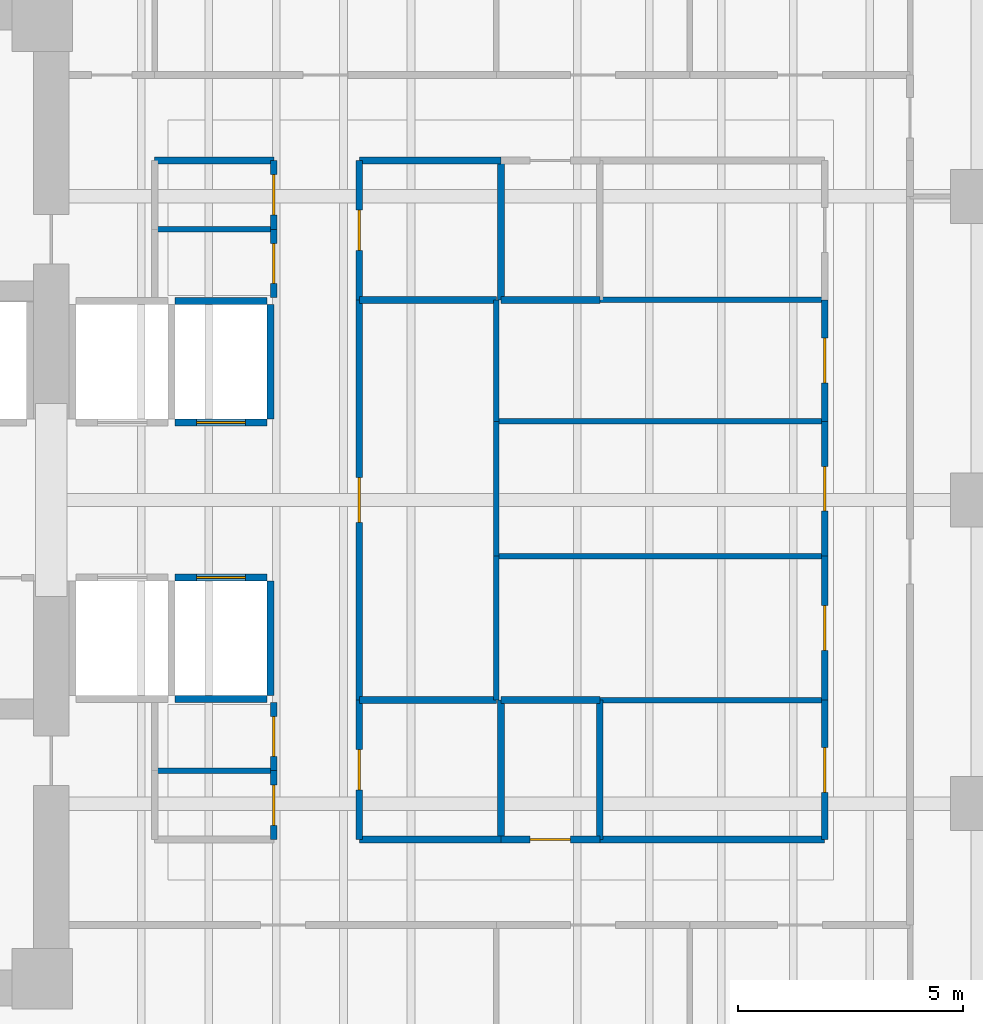
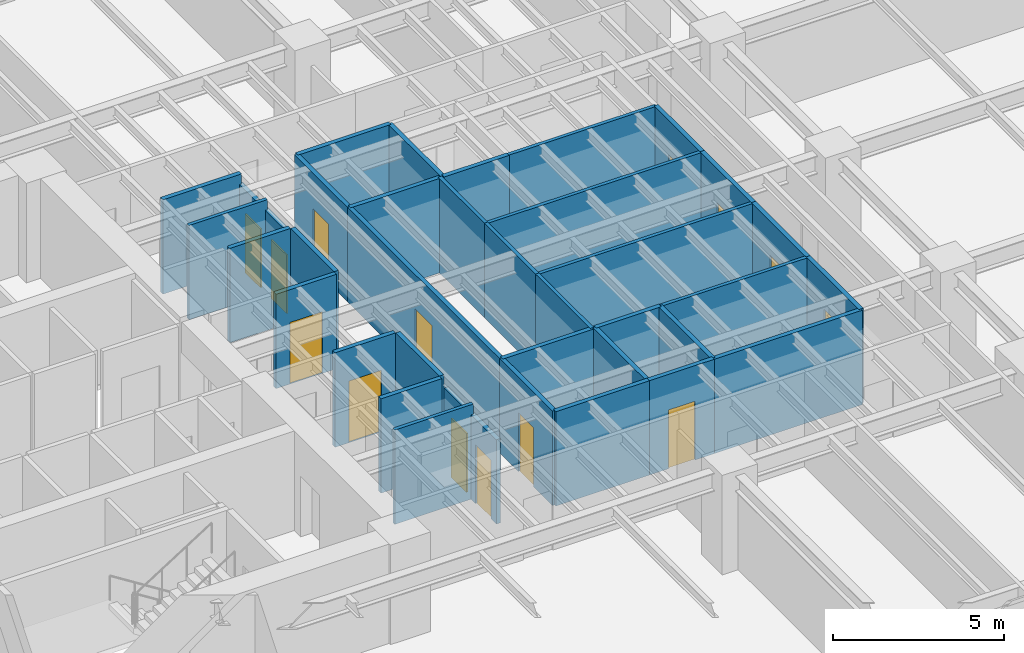
# One storey, part 9 of 15: 38 walls, 14 doors, 14 openings.
"""IFC4 building model written with IfcOpenShell, lengths in metres."""

from ifc_helpers import new_model, si_unit, direction, frame, frame_2d, origin, place, context, subcontext, project, spatial, rectangle, extrude, material, layer, layer_set, type_object, element, fill, save


model = new_model("IFC4")

# Units and contexts
model_context = context("Model", 3, precision=1e-05, world=origin(), true_north=direction((0.0, 1.0)))
body_context = subcontext(model_context, "Body", "Model", "MODEL_VIEW")
ifc_project = project(units=[si_unit("LENGTHUNIT", "METRE"), si_unit("AREAUNIT", "SQUARE_METRE"), si_unit("VOLUMEUNIT", "CUBIC_METRE"), si_unit("PLANEANGLEUNIT", "RADIAN"), si_unit("MASSUNIT", "GRAM", prefix="KILO")], contexts=[model_context])

# Site, building, storey
site_placement = place(None, origin())
site = spatial("IfcSite", under=ifc_project, at=site_placement, CompositionType="ELEMENT")
building_placement = place(site_placement, origin())
building = spatial("IfcBuilding", under=site, at=building_placement, Name="Kinhvarn Gate Tower", CompositionType="ELEMENT")
storey_placement = place(building_placement, frame((0.0, 0.0, 68.199951171875)))
storey = spatial("IfcBuildingStorey", under=building, at=storey_placement, Name="L17", CompositionType="ELEMENT", Elevation=68.199951171875)

# Walls
ifc_material_1 = material(Name="Gypsum acoustic partition board")
ifc_layer_1 = layer(ifc_material_1, 0.14990234375)
ifc_layer_set_1 = layer_set([ifc_layer_1], Name="Gypsum acoustic partition board")
wall_type_1 = type_object("IfcWallType", Name="WL-PLM-150", PredefinedType="PLUMBINGWALL", material=ifc_layer_set_1)
wall_1_placement = place(storey_placement, frame((27.60009765625, 17.699951171875, 0.0), z_axis=(0.0, 0.0, 1.0), x_axis=(0.0, 1.0, 0.0)))
element("IfcWall", 1, at=wall_1_placement, inside=storey, type_object=wall_type_1, Name="Interior Partition PLW-150 (L17)", PredefinedType="PLUMBINGWALL", context=body_context, shape_type="SweptSolid", body=[
    extrude(rectangle(XDim=3.10009765625, YDim=0.14990234375, at=frame_2d((1.550048828125, 0.0))), origin(), (0.0, 0.0, 1.0), 3.3701171875),
])
wall_2_placement = place(storey_placement, frame((24.449951171875, 20.800048828125, 0.0), z_axis=(0.0, 0.0, 1.0), x_axis=(1.0, 0.0, 0.0)))
element("IfcWall", 2, at=wall_2_placement, inside=storey, type_object=wall_type_1, Name="Interior Partition PLW-150 (L17)", PredefinedType="PLUMBINGWALL", context=body_context, shape_type="SweptSolid", body=[
    extrude(rectangle(XDim=3.050048828125, YDim=0.14990234375, at=frame_2d((1.52490234375, 0.0))), origin(), (0.0, 0.0, 1.0), 3.3701171875),
])
wall_3_placement = place(storey_placement, frame((27.60009765625, 29.699951171875, 0.0), z_axis=(0.0, 0.0, 1.0), x_axis=(0.0, 1.0, 0.0)))
element("IfcWall", 3, at=wall_3_placement, inside=storey, type_object=wall_type_1, Name="Interior Partition PLW-150 (L17)", PredefinedType="PLUMBINGWALL", context=body_context, shape_type="SweptSolid", body=[
    extrude(rectangle(XDim=3.10009765625, YDim=0.14990234375, at=frame_2d((1.550048828125, 0.0))), origin(), (0.0, 0.0, 1.0), 3.3701171875),
])
wall_4_placement = place(storey_placement, frame((24.449951171875, 29.699951171875, 0.0), z_axis=(0.0, 0.0, 1.0), x_axis=(1.0, 0.0, 0.0)))
element("IfcWall", 4, at=wall_4_placement, inside=storey, type_object=wall_type_1, Name="Interior Partition PLW-150 (L17)", PredefinedType="PLUMBINGWALL", context=body_context, shape_type="SweptSolid", body=[
    extrude(rectangle(XDim=3.050048828125, YDim=0.14990234375, at=frame_2d((1.52490234375, 0.0))), origin(), (0.0, 0.0, 1.0), 3.3701171875),
])
wall_5_placement = place(storey_placement, frame((29.800048828125, 17.699951171875, 0.0), z_axis=(0.0, 0.0, 1.0), x_axis=(0.0, 1.0, 0.0)))
element("IfcWall", 5, at=wall_5_placement, inside=storey, type_object=wall_type_1, Name="Interior Partition PLW-150 (L17)", PredefinedType="PLUMBINGWALL", context=body_context, shape_type="SweptSolid", body=[
    extrude(rectangle(XDim=3.10009765625, YDim=0.14990234375, at=frame_2d((1.550048828125, 0.0))), origin(), (0.0, 0.0, 1.0), 3.3701171875),
])
for number, where, z_axis, x_axis, name in (
    (6, (27.60009765625, 20.800048828125, 0.0), (0.0, 0.0, 1.0), (1.0, 0.0, 0.0), "Interior Partition PLW-150 (L17)"),
    (7, (27.60009765625, 29.699951171875, 0.0), (0.0, 0.0, 1.0), (1.0, 0.0, 0.0), "Interior Partition PLW-150 (L17)"),
):
    element("IfcWall", number, at=place(storey_placement, frame(where, z_axis=z_axis, x_axis=x_axis)), inside=storey, type_object=wall_type_1, Name=name, PredefinedType="PLUMBINGWALL", context=body_context, shape_type="SweptSolid", body=[
        extrude(rectangle(XDim=2.199951171875, YDim=0.14990234375, at=frame_2d((1.10009765625, 0.0))), origin(), (0.0, 0.0, 1.0), 3.3701171875),
    ])

# Wall, opening, door
ifc_layer_2 = layer(ifc_material_1, 0.14990234375)
ifc_layer_set_2 = layer_set([ifc_layer_2], Name="Gypsum acoustic partition board")
wall_type_2 = type_object("IfcWallType", Name="WL-PLM-150F", PredefinedType="PLUMBINGWALL", material=ifc_layer_set_2)
wall_6_placement = place(storey_placement, frame((24.449951171875, 17.699951171875, 0.0), z_axis=(0.0, 0.0, 1.0), x_axis=(0.0, 1.0, 0.0)))
wall_6 = element("IfcWall", 8, at=wall_6_placement, inside=storey, type_object=wall_type_2, Name="Interior Partition PLW-150F (L17)", PredefinedType="PLUMBINGWALL", context=body_context, shape_type="SweptSolid", body=[
    extrude(rectangle(XDim=3.10009765625, YDim=0.14990234375, at=frame_2d((1.550048828125, 0.0))), origin(), (0.0, 0.0, 1.0), 3.3701171875),
])
opening_1_placement = place(wall_6_placement, frame((1.10009765625, 0.0, 0.0)))
opening_1 = element("IfcOpeningElement", 9, at=opening_1_placement, cuts=wall_6, Name="Opening FD-04", PredefinedType="OPENING", context=body_context, shape_type="SweptSolid", body=[
    extrude(rectangle(XDim=0.89990234375, YDim=2.10009765625, at=frame_2d((0.449951171875, 1.050048828125))), frame((0.0, 0.0849609375, 0.0), z_axis=(0.0, -1.0, 0.0), x_axis=(1.0, 0.0, 0.0)), (0.0, 0.0, 1.0), 0.169921875),
])
ifc_material_2 = material(Name="Anodised aluminium AW-6063", Category="aluminium")
door_type_1 = type_object("IfcDoorType", Name="DR-FD-900", OperationType="NOTDEFINED", PredefinedType="DOOR", material=ifc_material_2)
door_1_placement = place(opening_1_placement, origin())
door_1 = element("IfcDoor", 10, at=door_1_placement, inside=storey, type_object=door_type_1, Name="Rated Riser & Service Closet Fire Door 900x2100 mm (L17)", OperationType="SINGLE_SWING_RIGHT", OverallHeight=2.10009765625, OverallWidth=0.89990234375, PredefinedType="DOOR", context=body_context, shape_type="SweptSolid", body=[
    extrude(rectangle(XDim=0.89990234375, YDim=2.10009765625, at=frame_2d((0.449951171875, 1.050048828125))), frame((0.0, 0.02490234375, 0.0), z_axis=(0.0, -1.0, 0.0), x_axis=(1.0, 0.0, 0.0)), (0.0, 0.0, 1.0), 0.050048828125),
])
fill(opening_1, door_1)

wall_7_placement = place(storey_placement, frame((24.449951171875, 29.699951171875, 0.0), z_axis=(0.0, 0.0, 1.0), x_axis=(0.0, 1.0, 0.0)))
wall_7 = element("IfcWall", 11, at=wall_7_placement, inside=storey, type_object=wall_type_2, Name="Interior Partition PLW-150F (L17)", PredefinedType="PLUMBINGWALL", context=body_context, shape_type="SweptSolid", body=[
    extrude(rectangle(XDim=3.10009765625, YDim=0.14990234375, at=frame_2d((1.550048828125, 0.0))), origin(), (0.0, 0.0, 1.0), 3.3701171875),
])
opening_2_placement = place(wall_7_placement, frame((1.10009765625, 0.0, 0.0)))
opening_2 = element("IfcOpeningElement", 12, at=opening_2_placement, cuts=wall_7, Name="Opening FD-04", PredefinedType="OPENING", context=body_context, shape_type="SweptSolid", body=[
    extrude(rectangle(XDim=0.89990234375, YDim=2.10009765625, at=frame_2d((0.449951171875, 1.050048828125))), frame((0.0, 0.0849609375, 0.0), z_axis=(0.0, -1.0, 0.0), x_axis=(1.0, 0.0, 0.0)), (0.0, 0.0, 1.0), 0.169921875),
])
door_2_placement = place(opening_2_placement, origin())
door_2 = element("IfcDoor", 13, at=door_2_placement, inside=storey, type_object=door_type_1, Name="Rated Riser & Service Closet Fire Door 900x2100 mm (L17)", OperationType="SINGLE_SWING_LEFT", OverallHeight=2.10009765625, OverallWidth=0.89990234375, PredefinedType="DOOR", context=body_context, shape_type="SweptSolid", body=[
    extrude(rectangle(XDim=0.89990234375, YDim=2.10009765625, at=frame_2d((0.449951171875, 1.050048828125))), frame((0.0, 0.02490234375, 0.0), z_axis=(0.0, -1.0, 0.0), x_axis=(1.0, 0.0, 0.0)), (0.0, 0.0, 1.0), 0.050048828125),
])
fill(opening_2, door_2)

# Wall
wall_8_placement = place(storey_placement, frame((24.449951171875, 17.699951171875, 0.0), z_axis=(0.0, 0.0, 1.0), x_axis=(1.0, 0.0, 0.0)))
element("IfcWall", 14, at=wall_8_placement, inside=storey, type_object=wall_type_2, Name="Interior Partition PLW-150F (L17)", PredefinedType="PLUMBINGWALL", context=body_context, shape_type="SweptSolid", body=[
    extrude(rectangle(XDim=3.150146484375, YDim=0.14990234375, at=frame_2d((1.5751953125, 0.0))), origin(), (0.0, 0.0, 1.0), 3.3701171875),
])

# Wall, opening, door
wall_9_placement = place(storey_placement, frame((27.60009765625, 17.699951171875, 0.0), z_axis=(0.0, 0.0, 1.0), x_axis=(1.0, 0.0, 0.0)))
wall_9 = element("IfcWall", 15, at=wall_9_placement, inside=storey, type_object=wall_type_2, Name="Interior Partition PLW-150F (L17)", PredefinedType="PLUMBINGWALL", context=body_context, shape_type="SweptSolid", body=[
    extrude(rectangle(XDim=2.199951171875, YDim=0.14990234375, at=frame_2d((1.10009765625, 0.0))), origin(), (0.0, 0.0, 1.0), 3.3701171875),
])
opening_3_placement = place(wall_9_placement, frame((0.64990234375, 0.0, 0.0)))
opening_3 = element("IfcOpeningElement", 16, at=opening_3_placement, cuts=wall_9, Name="Opening FD-04", PredefinedType="OPENING", context=body_context, shape_type="SweptSolid", body=[
    extrude(rectangle(XDim=0.89990234375, YDim=2.10009765625, at=frame_2d((0.449951171875, 1.050048828125))), frame((0.0, 0.0849609375, 0.0), z_axis=(0.0, -1.0, 0.0), x_axis=(1.0, 0.0, 0.0)), (0.0, 0.0, 1.0), 0.169921875),
])
door_3_placement = place(opening_3_placement, origin())
door_3 = element("IfcDoor", 17, at=door_3_placement, inside=storey, type_object=door_type_1, Name="Rated Riser & Service Closet Fire Door 900x2100 mm (L17)", OperationType="SINGLE_SWING_LEFT", OverallHeight=2.10009765625, OverallWidth=0.89990234375, PredefinedType="DOOR", context=body_context, shape_type="SweptSolid", body=[
    extrude(rectangle(XDim=0.89990234375, YDim=2.10009765625, at=frame_2d((0.449951171875, 1.050048828125))), frame((0.0, 0.02490234375, 0.0), z_axis=(0.0, -1.0, 0.0), x_axis=(1.0, 0.0, 0.0)), (0.0, 0.0, 1.0), 0.050048828125),
])
fill(opening_3, door_3)

# Walls
wall_10_placement = place(storey_placement, frame((24.449951171875, 32.800048828125, 0.0), z_axis=(0.0, 0.0, 1.0), x_axis=(1.0, 0.0, 0.0)))
element("IfcWall", 18, at=wall_10_placement, inside=storey, type_object=wall_type_2, Name="Interior Partition PLW-150F (L17)", PredefinedType="PLUMBINGWALL", context=body_context, shape_type="SweptSolid", body=[
    extrude(rectangle(XDim=3.150146484375, YDim=0.14990234375, at=frame_2d((1.5751953125, 0.0))), origin(), (0.0, 0.0, 1.0), 3.3701171875),
])
ifc_layer_3 = layer(ifc_material_1, 0.1201171875)
ifc_layer_set_3 = layer_set([ifc_layer_3], Name="Gypsum acoustic partition board")
wall_type_3 = type_object("IfcWallType", Name="WL-PRT-120", PredefinedType="PARTITIONING", material=ifc_layer_set_3)
for number, where, z_axis, x_axis, name in (
    (19, (19.89990234375, 19.22998046875, 0.0), (0.0, 0.0, 1.0), (1.0, 0.0, 0.0), "Interior Partition PW-120 (L17)"),
    (20, (19.89990234375, 31.27001953125, 0.0), (0.0, 0.0, 1.0), (1.0, 0.0, 0.0), "Interior Partition PW-120 (L17)"),
):
    element("IfcWall", number, at=place(storey_placement, frame(where, z_axis=z_axis, x_axis=x_axis)), inside=storey, type_object=wall_type_3, Name=name, PredefinedType="PARTITIONING", context=body_context, shape_type="SweptSolid", body=[
        extrude(rectangle(XDim=2.650146484375, YDim=0.1201171875, at=frame_2d((1.3251953125, 0.0))), origin(), (0.0, 0.0, 1.0), 3.3701171875),
    ])
for number, where, z_axis, x_axis, name in (
    (21, (29.800048828125, 20.800048828125, 0.0), (0.0, 0.0, 1.0), (1.0, 0.0, 0.0), "Interior Partition PW-120 (L17)"),
    (22, (29.800048828125, 29.699951171875, 0.0), (0.0, 0.0, 1.0), (1.0, 0.0, 0.0), "Interior Partition PW-120 (L17)"),
):
    element("IfcWall", number, at=place(storey_placement, frame(where, z_axis=z_axis, x_axis=x_axis)), inside=storey, type_object=wall_type_3, Name=name, PredefinedType="PARTITIONING", context=body_context, shape_type="SweptSolid", body=[
        extrude(rectangle(XDim=5.0, YDim=0.1201171875, at=frame_2d((2.5, 0.0))), origin(), (0.0, 0.0, 1.0), 3.3701171875),
    ])
wall_11_placement = place(storey_placement, frame((27.5, 20.800048828125, 0.0), z_axis=(0.0, 0.0, 1.0), x_axis=(0.0, 1.0, 0.0)))
element("IfcWall", 23, at=wall_11_placement, inside=storey, type_object=wall_type_3, Name="Interior Partition PW-120 (L17)", PredefinedType="PARTITIONING", context=body_context, shape_type="SweptSolid", body=[
    extrude(rectangle(XDim=3.199951171875, YDim=0.1201171875, at=frame_2d((1.60009765625, 0.0))), origin(), (0.0, 0.0, 1.0), 3.3701171875),
])
wall_12_placement = place(storey_placement, frame((27.5, 24.0, 0.0), z_axis=(0.0, 0.0, 1.0), x_axis=(0.0, 1.0, 0.0)))
element("IfcWall", 24, at=wall_12_placement, inside=storey, type_object=wall_type_3, Name="Interior Partition PW-120 (L17)", PredefinedType="PARTITIONING", context=body_context, shape_type="SweptSolid", body=[
    extrude(rectangle(XDim=3.0, YDim=0.1201171875, at=frame_2d((1.5, 0.0))), origin(), (0.0, 0.0, 1.0), 3.3701171875),
])
wall_13_placement = place(storey_placement, frame((27.5, 27.0, 0.0), z_axis=(0.0, 0.0, 1.0), x_axis=(0.0, 1.0, 0.0)))
element("IfcWall", 25, at=wall_13_placement, inside=storey, type_object=wall_type_3, Name="Interior Partition PW-120 (L17)", PredefinedType="PARTITIONING", context=body_context, shape_type="SweptSolid", body=[
    extrude(rectangle(XDim=2.699951171875, YDim=0.1201171875, at=frame_2d((1.35009765625, 0.0))), origin(), (0.0, 0.0, 1.0), 3.3701171875),
])
for number, where, z_axis, x_axis, name in (
    (26, (27.5, 24.0, 0.0), (0.0, 0.0, 1.0), (1.0, 0.0, 0.0), "Interior Partition PW-120 (L17)"),
    (27, (27.5, 27.0, 0.0), (0.0, 0.0, 1.0), (1.0, 0.0, 0.0), "Interior Partition PW-120 (L17)"),
):
    element("IfcWall", number, at=place(storey_placement, frame(where, z_axis=z_axis, x_axis=x_axis)), inside=storey, type_object=wall_type_3, Name=name, PredefinedType="PARTITIONING", context=body_context, shape_type="SweptSolid", body=[
        extrude(rectangle(XDim=7.300048828125, YDim=0.1201171875, at=frame_2d((3.64990234375, 0.0))), origin(), (0.0, 0.0, 1.0), 3.3701171875),
    ])

# Wall, opening, door
ifc_layer_4 = layer(ifc_material_1, 0.14990234375)
ifc_layer_set_4 = layer_set([ifc_layer_4], Name="Gypsum acoustic partition board")
wall_type_4 = type_object("IfcWallType", Name="WL-PRT-150F", PredefinedType="PARTITIONING", material=ifc_layer_set_4)
wall_14_placement = place(storey_placement, frame((22.550048828125, 17.699951171875, 0.0), z_axis=(0.0, 0.0, 1.0), x_axis=(0.0, 1.0, 0.0)))
wall_14 = element("IfcWall", 28, at=wall_14_placement, inside=storey, type_object=wall_type_4, Name="Interior Partition PW-150F (L17)", PredefinedType="PARTITIONING", context=body_context, shape_type="SweptSolid", body=[
    extrude(rectangle(XDim=1.530029296875, YDim=0.14990234375, at=frame_2d((0.76513671875, 0.0))), origin(), (0.0, 0.0, 1.0), 3.010009765625),
])
opening_4_placement = place(wall_14_placement, frame((0.31494140625, 0.0, 0.0)))
opening_4 = element("IfcOpeningElement", 29, at=opening_4_placement, cuts=wall_14, Name="Opening ID-03", PredefinedType="OPENING", context=body_context, shape_type="SweptSolid", body=[
    extrude(rectangle(XDim=0.89990234375, YDim=2.10009765625, at=frame_2d((0.449951171875, 1.050048828125))), frame((0.0, 0.0849609375, 0.0), z_axis=(0.0, -1.0, 0.0), x_axis=(1.0, 0.0, 0.0)), (0.0, 0.0, 1.0), 0.169921875),
])
door_type_2 = type_object("IfcDoorType", Name="DR-INT-900", OperationType="NOTDEFINED", PredefinedType="DOOR", material=ifc_material_2)
door_4_placement = place(opening_4_placement, origin())
door_4 = element("IfcDoor", 30, at=door_4_placement, inside=storey, type_object=door_type_2, Name="Cellular Office & Restroom Door 900x2100 mm (L17)", OperationType="SINGLE_SWING_RIGHT", OverallHeight=2.10009765625, OverallWidth=0.89990234375, PredefinedType="DOOR", context=body_context, shape_type="SweptSolid", body=[
    extrude(rectangle(XDim=0.89990234375, YDim=2.10009765625, at=frame_2d((0.449951171875, 1.050048828125))), frame((0.0, 0.02490234375, 0.0), z_axis=(0.0, -1.0, 0.0), x_axis=(1.0, 0.0, 0.0)), (0.0, 0.0, 1.0), 0.050048828125),
])
fill(opening_4, door_4)

wall_15_placement = place(storey_placement, frame((22.550048828125, 19.22998046875, 0.0), z_axis=(0.0, 0.0, 1.0), x_axis=(0.0, 1.0, 0.0)))
wall_15 = element("IfcWall", 31, at=wall_15_placement, inside=storey, type_object=wall_type_4, Name="Interior Partition PW-150F (L17)", PredefinedType="PARTITIONING", context=body_context, shape_type="SweptSolid", body=[
    extrude(rectangle(XDim=1.52001953125, YDim=0.14990234375, at=frame_2d((0.760009765625, 0.0))), origin(), (0.0, 0.0, 1.0), 3.010009765625),
])
opening_5_placement = place(wall_15_placement, frame((0.31005859375, 0.0, 0.0)))
opening_5 = element("IfcOpeningElement", 32, at=opening_5_placement, cuts=wall_15, Name="Opening ID-03", PredefinedType="OPENING", context=body_context, shape_type="SweptSolid", body=[
    extrude(rectangle(XDim=0.89990234375, YDim=2.10009765625, at=frame_2d((0.449951171875, 1.050048828125))), frame((0.0, 0.0849609375, 0.0), z_axis=(0.0, -1.0, 0.0), x_axis=(1.0, 0.0, 0.0)), (0.0, 0.0, 1.0), 0.169921875),
])
door_5_placement = place(opening_5_placement, origin())
door_5 = element("IfcDoor", 33, at=door_5_placement, inside=storey, type_object=door_type_2, Name="Cellular Office & Restroom Door 900x2100 mm (L17)", OperationType="SINGLE_SWING_LEFT", OverallHeight=2.10009765625, OverallWidth=0.89990234375, PredefinedType="DOOR", context=body_context, shape_type="SweptSolid", body=[
    extrude(rectangle(XDim=0.89990234375, YDim=2.10009765625, at=frame_2d((0.449951171875, 1.050048828125))), frame((0.0, 0.02490234375, 0.0), z_axis=(0.0, -1.0, 0.0), x_axis=(1.0, 0.0, 0.0)), (0.0, 0.0, 1.0), 0.050048828125),
])
fill(opening_5, door_5)

wall_16_placement = place(storey_placement, frame((22.550048828125, 29.75, 0.0), z_axis=(0.0, 0.0, 1.0), x_axis=(0.0, 1.0, 0.0)))
wall_16 = element("IfcWall", 34, at=wall_16_placement, inside=storey, type_object=wall_type_4, Name="Interior Partition PW-150F (L17)", PredefinedType="PARTITIONING", context=body_context, shape_type="SweptSolid", body=[
    extrude(rectangle(XDim=1.52001953125, YDim=0.14990234375, at=frame_2d((0.760009765625, 0.0))), origin(), (0.0, 0.0, 1.0), 3.010009765625),
])
opening_6_placement = place(wall_16_placement, frame((0.31005859375, 0.0, 0.0)))
opening_6 = element("IfcOpeningElement", 35, at=opening_6_placement, cuts=wall_16, Name="Opening ID-03", PredefinedType="OPENING", context=body_context, shape_type="SweptSolid", body=[
    extrude(rectangle(XDim=0.89990234375, YDim=2.10009765625, at=frame_2d((0.449951171875, 1.050048828125))), frame((0.0, 0.0849609375, 0.0), z_axis=(0.0, -1.0, 0.0), x_axis=(1.0, 0.0, 0.0)), (0.0, 0.0, 1.0), 0.169921875),
])
door_6_placement = place(opening_6_placement, origin())
door_6 = element("IfcDoor", 36, at=door_6_placement, inside=storey, type_object=door_type_2, Name="Cellular Office & Restroom Door 900x2100 mm (L17)", OperationType="SINGLE_SWING_RIGHT", OverallHeight=2.10009765625, OverallWidth=0.89990234375, PredefinedType="DOOR", context=body_context, shape_type="SweptSolid", body=[
    extrude(rectangle(XDim=0.89990234375, YDim=2.10009765625, at=frame_2d((0.449951171875, 1.050048828125))), frame((0.0, 0.02490234375, 0.0), z_axis=(0.0, -1.0, 0.0), x_axis=(1.0, 0.0, 0.0)), (0.0, 0.0, 1.0), 0.050048828125),
])
fill(opening_6, door_6)

wall_17_placement = place(storey_placement, frame((22.550048828125, 31.27001953125, 0.0), z_axis=(0.0, 0.0, 1.0), x_axis=(0.0, 1.0, 0.0)))
wall_17 = element("IfcWall", 37, at=wall_17_placement, inside=storey, type_object=wall_type_4, Name="Interior Partition PW-150F (L17)", PredefinedType="PARTITIONING", context=body_context, shape_type="SweptSolid", body=[
    extrude(rectangle(XDim=1.530029296875, YDim=0.14990234375, at=frame_2d((0.76513671875, 0.0))), origin(), (0.0, 0.0, 1.0), 3.010009765625),
])
opening_7_placement = place(wall_17_placement, frame((0.31494140625, 0.0, 0.0)))
opening_7 = element("IfcOpeningElement", 38, at=opening_7_placement, cuts=wall_17, Name="Opening ID-03", PredefinedType="OPENING", context=body_context, shape_type="SweptSolid", body=[
    extrude(rectangle(XDim=0.89990234375, YDim=2.10009765625, at=frame_2d((0.449951171875, 1.050048828125))), frame((0.0, 0.0849609375, 0.0), z_axis=(0.0, -1.0, 0.0), x_axis=(1.0, 0.0, 0.0)), (0.0, 0.0, 1.0), 0.169921875),
])
door_7_placement = place(opening_7_placement, origin())
door_7 = element("IfcDoor", 39, at=door_7_placement, inside=storey, type_object=door_type_2, Name="Cellular Office & Restroom Door 900x2100 mm (L17)", OperationType="SINGLE_SWING_LEFT", OverallHeight=2.10009765625, OverallWidth=0.89990234375, PredefinedType="DOOR", context=body_context, shape_type="SweptSolid", body=[
    extrude(rectangle(XDim=0.89990234375, YDim=2.10009765625, at=frame_2d((0.449951171875, 1.050048828125))), frame((0.0, 0.02490234375, 0.0), z_axis=(0.0, -1.0, 0.0), x_axis=(1.0, 0.0, 0.0)), (0.0, 0.0, 1.0), 0.050048828125),
])
fill(opening_7, door_7)

wall_18_placement = place(storey_placement, frame((24.449951171875, 20.800048828125, 0.0), z_axis=(0.0, 0.0, 1.0), x_axis=(0.0, 1.0, 0.0)))
wall_18 = element("IfcWall", 40, at=wall_18_placement, inside=storey, type_object=wall_type_4, Name="Interior Partition PW-150F (L17)", PredefinedType="PARTITIONING", context=body_context, shape_type="SweptSolid", body=[
    extrude(rectangle(XDim=8.89990234375, YDim=0.14990234375, at=frame_2d((4.449951171875, 0.0))), origin(), (0.0, 0.0, 1.0), 3.3701171875),
])
opening_8_placement = place(wall_18_placement, frame((3.949951171875, 0.0, 0.0)))
opening_8 = element("IfcOpeningElement", 41, at=opening_8_placement, cuts=wall_18, Name="Opening ID-02", PredefinedType="OPENING", context=body_context, shape_type="SweptSolid", body=[
    extrude(rectangle(XDim=1.0, YDim=2.14990234375, at=frame_2d((0.5, 1.074951171875))), frame((0.0, 0.0849609375, 0.0), z_axis=(0.0, -1.0, 0.0), x_axis=(1.0, 0.0, 0.0)), (0.0, 0.0, 1.0), 0.169921875),
])
door_type_3 = type_object("IfcDoorType", Name="DR-INT-1000", OperationType="NOTDEFINED", PredefinedType="DOOR", material=ifc_material_2)
door_8_placement = place(opening_8_placement, origin())
door_8 = element("IfcDoor", 42, at=door_8_placement, inside=storey, type_object=door_type_3, Name="Standard Office & Meeting Room Door 1000x2150 mm (L17)", OperationType="SINGLE_SWING_RIGHT", OverallHeight=2.14990234375, OverallWidth=1.0, PredefinedType="DOOR", context=body_context, shape_type="SweptSolid", body=[
    extrude(rectangle(XDim=1.0, YDim=2.14990234375, at=frame_2d((0.5, 1.074951171875))), frame((0.0, 0.02490234375, 0.0), z_axis=(0.0, -1.0, 0.0), x_axis=(1.0, 0.0, 0.0)), (0.0, 0.0, 1.0), 0.050048828125),
])
fill(opening_8, door_8)

# Walls
wall_19_placement = place(storey_placement, frame((29.800048828125, 17.699951171875, 0.0), z_axis=(0.0, 0.0, 1.0), x_axis=(1.0, 0.0, 0.0)))
element("IfcWall", 43, at=wall_19_placement, inside=storey, type_object=wall_type_4, Name="Interior Partition PW-150F (L17)", PredefinedType="PARTITIONING", context=body_context, shape_type="SweptSolid", body=[
    extrude(rectangle(XDim=5.0, YDim=0.14990234375, at=frame_2d((2.5, 0.0))), origin(), (0.0, 0.0, 1.0), 3.3701171875),
])
wall_20_placement = place(storey_placement, frame((19.89990234375, 32.800048828125, 0.0), z_axis=(0.0, 0.0, 1.0), x_axis=(1.0, 0.0, 0.0)))
element("IfcWall", 44, at=wall_20_placement, inside=storey, type_object=wall_type_4, Name="Interior Partition PW-150F (L17)", PredefinedType="PARTITIONING", context=body_context, shape_type="SweptSolid", body=[
    extrude(rectangle(XDim=2.650146484375, YDim=0.14990234375, at=frame_2d((1.3251953125, 0.0))), origin(), (0.0, 0.0, 1.0), 3.3701171875),
])

# Wall, opening, door
wall_21_placement = place(storey_placement, frame((34.800048828125, 17.699951171875, 0.0), z_axis=(0.0, 0.0, 1.0), x_axis=(0.0, 1.0, 0.0)))
wall_21 = element("IfcWall", 45, at=wall_21_placement, inside=storey, type_object=wall_type_4, Name="Interior Partition PW-150F (L17)", PredefinedType="PARTITIONING", context=body_context, shape_type="SweptSolid", body=[
    extrude(rectangle(XDim=3.10009765625, YDim=0.14990234375, at=frame_2d((1.550048828125, 0.0))), origin(), (0.0, 0.0, 1.0), 3.3701171875),
])
opening_9_placement = place(wall_21_placement, frame((1.050048828125, 0.0, 0.0)))
opening_9 = element("IfcOpeningElement", 46, at=opening_9_placement, cuts=wall_21, Name="Opening ID-02", PredefinedType="OPENING", context=body_context, shape_type="SweptSolid", body=[
    extrude(rectangle(XDim=1.0, YDim=2.14990234375, at=frame_2d((0.5, 1.074951171875))), frame((0.0, 0.0849609375, 0.0), z_axis=(0.0, -1.0, 0.0), x_axis=(1.0, 0.0, 0.0)), (0.0, 0.0, 1.0), 0.169921875),
])
door_9_placement = place(opening_9_placement, origin())
door_9 = element("IfcDoor", 47, at=door_9_placement, inside=storey, type_object=door_type_3, Name="Standard Office & Meeting Room Door 1000x2150 mm (L17)", OperationType="SINGLE_SWING_LEFT", OverallHeight=2.14990234375, OverallWidth=1.0, PredefinedType="DOOR", context=body_context, shape_type="SweptSolid", body=[
    extrude(rectangle(XDim=1.0, YDim=2.14990234375, at=frame_2d((0.5, 1.074951171875))), frame((0.0, 0.02490234375, 0.0), z_axis=(0.0, -1.0, 0.0), x_axis=(1.0, 0.0, 0.0)), (0.0, 0.0, 1.0), 0.050048828125),
])
fill(opening_9, door_9)

wall_22_placement = place(storey_placement, frame((34.800048828125, 20.800048828125, 0.0), z_axis=(0.0, 0.0, 1.0), x_axis=(0.0, 1.0, 0.0)))
wall_22 = element("IfcWall", 48, at=wall_22_placement, inside=storey, type_object=wall_type_4, Name="Interior Partition PW-150F (L17)", PredefinedType="PARTITIONING", context=body_context, shape_type="SweptSolid", body=[
    extrude(rectangle(XDim=3.199951171875, YDim=0.14990234375, at=frame_2d((1.60009765625, 0.0))), origin(), (0.0, 0.0, 1.0), 3.3701171875),
])
opening_10_placement = place(wall_22_placement, frame((1.10009765625, 0.0, 0.0)))
opening_10 = element("IfcOpeningElement", 49, at=opening_10_placement, cuts=wall_22, Name="Opening ID-02", PredefinedType="OPENING", context=body_context, shape_type="SweptSolid", body=[
    extrude(rectangle(XDim=1.0, YDim=2.14990234375, at=frame_2d((0.5, 1.074951171875))), frame((0.0, 0.0849609375, 0.0), z_axis=(0.0, -1.0, 0.0), x_axis=(1.0, 0.0, 0.0)), (0.0, 0.0, 1.0), 0.169921875),
])
door_10_placement = place(opening_10_placement, origin())
door_10 = element("IfcDoor", 50, at=door_10_placement, inside=storey, type_object=door_type_3, Name="Standard Office & Meeting Room Door 1000x2150 mm (L17)", OperationType="SINGLE_SWING_LEFT", OverallHeight=2.14990234375, OverallWidth=1.0, PredefinedType="DOOR", context=body_context, shape_type="SweptSolid", body=[
    extrude(rectangle(XDim=1.0, YDim=2.14990234375, at=frame_2d((0.5, 1.074951171875))), frame((0.0, 0.02490234375, 0.0), z_axis=(0.0, -1.0, 0.0), x_axis=(1.0, 0.0, 0.0)), (0.0, 0.0, 1.0), 0.050048828125),
])
fill(opening_10, door_10)

wall_23_placement = place(storey_placement, frame((34.800048828125, 24.0, 0.0), z_axis=(0.0, 0.0, 1.0), x_axis=(0.0, 1.0, 0.0)))
wall_23 = element("IfcWall", 51, at=wall_23_placement, inside=storey, type_object=wall_type_4, Name="Interior Partition PW-150F (L17)", PredefinedType="PARTITIONING", context=body_context, shape_type="SweptSolid", body=[
    extrude(rectangle(XDim=3.0, YDim=0.14990234375, at=frame_2d((1.5, 0.0))), origin(), (0.0, 0.0, 1.0), 3.3701171875),
])
opening_11_placement = place(wall_23_placement, frame((1.0, 0.0, 0.0)))
opening_11 = element("IfcOpeningElement", 52, at=opening_11_placement, cuts=wall_23, Name="Opening ID-02", PredefinedType="OPENING", context=body_context, shape_type="SweptSolid", body=[
    extrude(rectangle(XDim=1.0, YDim=2.14990234375, at=frame_2d((0.5, 1.074951171875))), frame((0.0, 0.0849609375, 0.0), z_axis=(0.0, -1.0, 0.0), x_axis=(1.0, 0.0, 0.0)), (0.0, 0.0, 1.0), 0.169921875),
])
door_11_placement = place(opening_11_placement, origin())
door_11 = element("IfcDoor", 53, at=door_11_placement, inside=storey, type_object=door_type_3, Name="Standard Office & Meeting Room Door 1000x2150 mm (L17)", OperationType="SINGLE_SWING_RIGHT", OverallHeight=2.14990234375, OverallWidth=1.0, PredefinedType="DOOR", context=body_context, shape_type="SweptSolid", body=[
    extrude(rectangle(XDim=1.0, YDim=2.14990234375, at=frame_2d((0.5, 1.074951171875))), frame((0.0, 0.02490234375, 0.0), z_axis=(0.0, -1.0, 0.0), x_axis=(1.0, 0.0, 0.0)), (0.0, 0.0, 1.0), 0.050048828125),
])
fill(opening_11, door_11)

wall_24_placement = place(storey_placement, frame((34.800048828125, 27.0, 0.0), z_axis=(0.0, 0.0, 1.0), x_axis=(0.0, 1.0, 0.0)))
wall_24 = element("IfcWall", 54, at=wall_24_placement, inside=storey, type_object=wall_type_4, Name="Interior Partition PW-150F (L17)", PredefinedType="PARTITIONING", context=body_context, shape_type="SweptSolid", body=[
    extrude(rectangle(XDim=2.699951171875, YDim=0.14990234375, at=frame_2d((1.35009765625, 0.0))), origin(), (0.0, 0.0, 1.0), 3.3701171875),
])
opening_12_placement = place(wall_24_placement, frame((0.85009765625, 0.0, 0.0)))
opening_12 = element("IfcOpeningElement", 55, at=opening_12_placement, cuts=wall_24, Name="Opening ID-02", PredefinedType="OPENING", context=body_context, shape_type="SweptSolid", body=[
    extrude(rectangle(XDim=1.0, YDim=2.14990234375, at=frame_2d((0.5, 1.074951171875))), frame((0.0, 0.0849609375, 0.0), z_axis=(0.0, -1.0, 0.0), x_axis=(1.0, 0.0, 0.0)), (0.0, 0.0, 1.0), 0.169921875),
])
door_12_placement = place(opening_12_placement, origin())
door_12 = element("IfcDoor", 56, at=door_12_placement, inside=storey, type_object=door_type_3, Name="Standard Office & Meeting Room Door 1000x2150 mm (L17)", OperationType="SINGLE_SWING_LEFT", OverallHeight=2.14990234375, OverallWidth=1.0, PredefinedType="DOOR", context=body_context, shape_type="SweptSolid", body=[
    extrude(rectangle(XDim=1.0, YDim=2.14990234375, at=frame_2d((0.5, 1.074951171875))), frame((0.0, 0.02490234375, 0.0), z_axis=(0.0, -1.0, 0.0), x_axis=(1.0, 0.0, 0.0)), (0.0, 0.0, 1.0), 0.050048828125),
])
fill(opening_12, door_12)

# Wall
ifc_layer_5 = layer(ifc_material_1, 0.14990234375)
ifc_layer_set_5 = layer_set([ifc_layer_5], Name="Gypsum acoustic partition board")
wall_type_5 = type_object("IfcWallType", Name="WL-SHF-150", PredefinedType="PARTITIONING", material=ifc_layer_set_5)
wall_25_placement = place(storey_placement, frame((20.35009765625, 20.824951171875, 0.0), z_axis=(0.0, 0.0, 1.0), x_axis=(1.0, 0.0, 0.0)))
element("IfcWall", 57, at=wall_25_placement, inside=storey, type_object=wall_type_5, Name="Elevator PL-02 Hoistway Wall S (L17)", PredefinedType="PARTITIONING", context=body_context, shape_type="SweptSolid", body=[
    extrude(rectangle(XDim=2.0498046875, YDim=0.14990234375, at=frame_2d((1.02490234375, 0.0))), origin(), (0.0, 0.0, 1.0), 3.3701171875),
])

# Wall, opening, door
wall_26_placement = place(storey_placement, frame((20.35009765625, 23.52490234375, 0.0), z_axis=(0.0, 0.0, 1.0), x_axis=(1.0, 0.0, 0.0)))
wall_26 = element("IfcWall", 58, at=wall_26_placement, inside=storey, type_object=wall_type_5, Name="Elevator PL-02 Landing Wall (L17)", PredefinedType="PARTITIONING", context=body_context, shape_type="SweptSolid", body=[
    extrude(rectangle(XDim=2.0498046875, YDim=0.14990234375, at=frame_2d((1.02490234375, 0.0))), origin(), (0.0, 0.0, 1.0), 3.3701171875),
])
opening_13_placement = place(wall_26_placement, frame((0.47509765625, 0.0, 0.0)))
opening_13 = element("IfcOpeningElement", 59, at=opening_13_placement, cuts=wall_26, Name="Opening LD-01", PredefinedType="OPENING", context=body_context, shape_type="SweptSolid", body=[
    extrude(rectangle(XDim=1.10009765625, YDim=2.199951171875, at=frame_2d((0.550048828125, 1.10009765625))), frame((0.0, 0.0849609375, 0.0), z_axis=(0.0, -1.0, 0.0), x_axis=(1.0, 0.0, 0.0)), (0.0, 0.0, 1.0), 0.169921875),
])
door_type_4 = type_object("IfcDoorType", Name="DR-LND-PAS", OperationType="NOTDEFINED", PredefinedType="DOOR", material=ifc_material_2)
door_13_placement = place(opening_13_placement, origin())
door_13 = element("IfcDoor", 60, at=door_13_placement, inside=storey, type_object=door_type_4, Name="Elevator PL-02 Sliding Landing Door (L17)", OperationType="DOUBLE_DOOR_SLIDING", OverallHeight=2.199951171875, OverallWidth=1.10009765625, PredefinedType="DOOR", context=body_context, shape_type="SweptSolid", body=[
    extrude(rectangle(XDim=1.10009765625, YDim=2.199951171875, at=frame_2d((0.550048828125, 1.10009765625))), frame((0.0, 0.02490234375, 0.0), z_axis=(0.0, -1.0, 0.0), x_axis=(1.0, 0.0, 0.0)), (0.0, 0.0, 1.0), 0.050048828125),
])
fill(opening_13, door_13)

# Wall
wall_27_placement = place(storey_placement, frame((22.47509765625, 20.89990234375, 0.0), z_axis=(0.0, 0.0, 1.0), x_axis=(0.0, 1.0, 0.0)))
element("IfcWall", 61, at=wall_27_placement, inside=storey, type_object=wall_type_5, Name="Elevator PL-02 Hoistway Wall E (L17)", PredefinedType="PARTITIONING", context=body_context, shape_type="SweptSolid", body=[
    extrude(rectangle(XDim=2.550048828125, YDim=0.14990234375, at=frame_2d((1.27490234375, 0.0))), origin(), (0.0, 0.0, 1.0), 3.3701171875),
])

# Wall, opening, door
wall_28_placement = place(storey_placement, frame((20.35009765625, 26.97509765625, 0.0), z_axis=(0.0, 0.0, 1.0), x_axis=(1.0, 0.0, 0.0)))
wall_28 = element("IfcWall", 62, at=wall_28_placement, inside=storey, type_object=wall_type_5, Name="Elevator PL-04 Landing Wall (L17)", PredefinedType="PARTITIONING", context=body_context, shape_type="SweptSolid", body=[
    extrude(rectangle(XDim=2.0498046875, YDim=0.14990234375, at=frame_2d((1.02490234375, 0.0))), origin(), (0.0, 0.0, 1.0), 3.3701171875),
])
opening_14_placement = place(wall_28_placement, frame((0.47509765625, 0.0, 0.0)))
opening_14 = element("IfcOpeningElement", 63, at=opening_14_placement, cuts=wall_28, Name="Opening LD-01", PredefinedType="OPENING", context=body_context, shape_type="SweptSolid", body=[
    extrude(rectangle(XDim=1.10009765625, YDim=2.199951171875, at=frame_2d((0.550048828125, 1.10009765625))), frame((0.0, 0.0849609375, 0.0), z_axis=(0.0, -1.0, 0.0), x_axis=(1.0, 0.0, 0.0)), (0.0, 0.0, 1.0), 0.169921875),
])
door_14_placement = place(opening_14_placement, origin())
door_14 = element("IfcDoor", 64, at=door_14_placement, inside=storey, type_object=door_type_4, Name="Elevator PL-04 Sliding Landing Door (L17)", OperationType="DOUBLE_DOOR_SLIDING", OverallHeight=2.199951171875, OverallWidth=1.10009765625, PredefinedType="DOOR", context=body_context, shape_type="SweptSolid", body=[
    extrude(rectangle(XDim=1.10009765625, YDim=2.199951171875, at=frame_2d((0.550048828125, 1.10009765625))), frame((0.0, 0.02490234375, 0.0), z_axis=(0.0, -1.0, 0.0), x_axis=(1.0, 0.0, 0.0)), (0.0, 0.0, 1.0), 0.050048828125),
])
fill(opening_14, door_14)

# Walls
wall_29_placement = place(storey_placement, frame((20.35009765625, 29.675048828125, 0.0), z_axis=(0.0, 0.0, 1.0), x_axis=(1.0, 0.0, 0.0)))
element("IfcWall", 65, at=wall_29_placement, inside=storey, type_object=wall_type_5, Name="Elevator PL-04 Hoistway Wall N (L17)", PredefinedType="PARTITIONING", context=body_context, shape_type="SweptSolid", body=[
    extrude(rectangle(XDim=2.0498046875, YDim=0.14990234375, at=frame_2d((1.02490234375, 0.0))), origin(), (0.0, 0.0, 1.0), 3.3701171875),
])
wall_30_placement = place(storey_placement, frame((22.47509765625, 27.050048828125, 0.0), z_axis=(0.0, 0.0, 1.0), x_axis=(0.0, 1.0, 0.0)))
element("IfcWall", 66, at=wall_30_placement, inside=storey, type_object=wall_type_5, Name="Elevator PL-04 Hoistway Wall E (L17)", PredefinedType="PARTITIONING", context=body_context, shape_type="SweptSolid", body=[
    extrude(rectangle(XDim=2.550048828125, YDim=0.14990234375, at=frame_2d((1.27490234375, 0.0))), origin(), (0.0, 0.0, 1.0), 3.3701171875),
])

save(model, "model.ifc")
